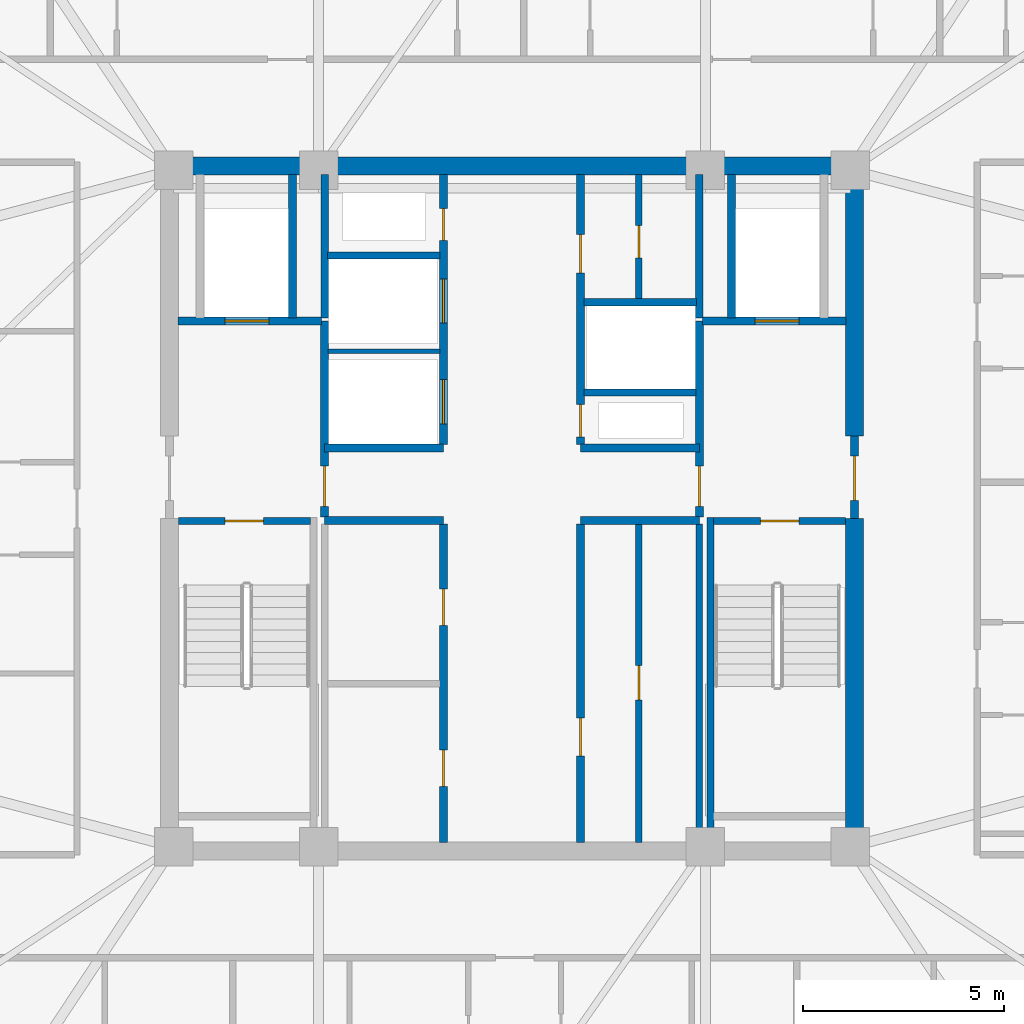
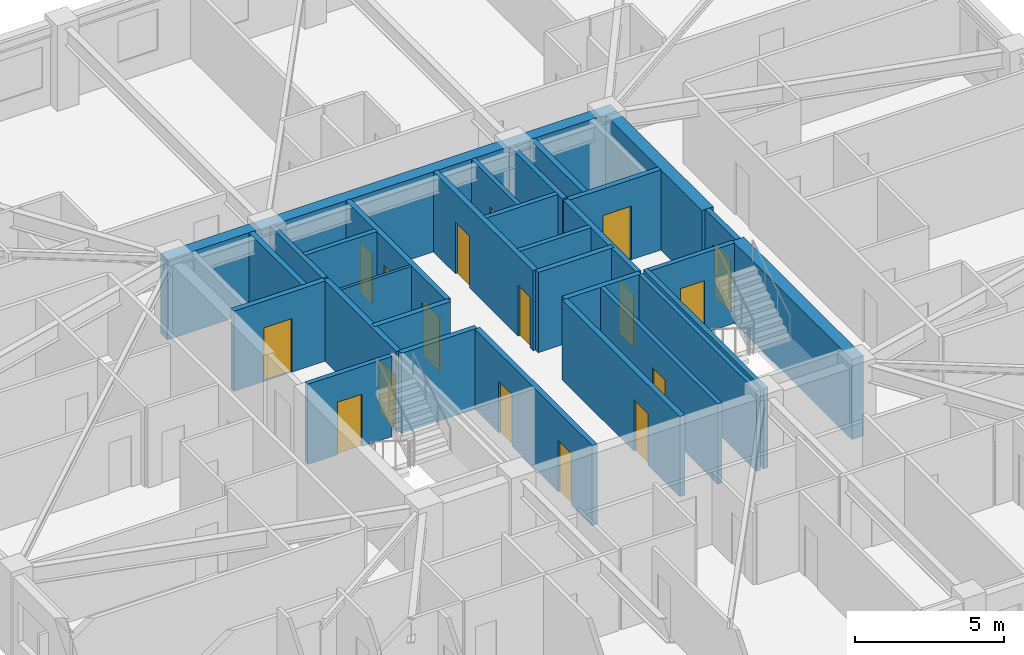
# One storey, part 9 of 17: 30 walls, 17 doors, 17 openings.
"""IFC4 building model written with IfcOpenShell, lengths in metres."""

from ifc_helpers import new_model, si_unit, direction, frame, frame_2d, origin, place, context, subcontext, project, spatial, rectangle, extrude, material, layer, layer_set, type_object, element, fill, save


model = new_model("IFC4")

# Units and contexts
model_context = context("Model", 3, precision=1e-05, world=origin(), true_north=direction((0.0, 1.0)))
body_context = subcontext(model_context, "Body", "Model", "MODEL_VIEW")
ifc_project = project(units=[si_unit("LENGTHUNIT", "METRE"), si_unit("AREAUNIT", "SQUARE_METRE"), si_unit("VOLUMEUNIT", "CUBIC_METRE"), si_unit("PLANEANGLEUNIT", "RADIAN"), si_unit("MASSUNIT", "GRAM", prefix="KILO")], contexts=[model_context])

# Site, building, storey
site_placement = place(None, origin())
site = spatial("IfcSite", under=ifc_project, at=site_placement, CompositionType="ELEMENT")
building_placement = place(site_placement, origin())
building = spatial("IfcBuilding", under=site, at=building_placement, Name="Cairnveth Concourse Tower", CompositionType="ELEMENT")
storey_placement = place(building_placement, frame((0.0, 0.0, 258.5)))
storey = spatial("IfcBuildingStorey", under=building, at=storey_placement, Name="L71", CompositionType="ELEMENT", Elevation=258.5)

# Wall
ifc_material_1 = material(Name="Gypsum Plasterboard Partition", Category="gypsum")
ifc_layer_1 = layer(ifc_material_1, 0.159912109375)
ifc_layer_set_1 = layer_set([ifc_layer_1], Name="Gypsum Plasterboard Partition")
wall_type_1 = type_object("IfcWallType", Name="ACOUSTIC PARTY WALL 180", PredefinedType="PARTITIONING", material=ifc_layer_set_1)
wall_1_placement = place(storey_placement, frame((56.64990234375, 30.7099609375, 0.0), z_axis=(0.0, 0.0, 1.0), x_axis=(0.0, 1.0, 0.0)))
element("IfcWall", 1, at=wall_1_placement, inside=storey, type_object=wall_type_1, Name="Interior Wall IW-L71-027", PredefinedType="PARTITIONING", context=body_context, shape_type="SweptSolid", body=[
    extrude(rectangle(XDim=7.905029296875, YDim=0.159912109375, at=frame_2d((3.95263671875, 0.0))), origin(), (0.0, 0.0, 1.0), 3.2900390625),
])

# Wall, opening, door
wall_2_placement = place(storey_placement, frame((55.14990234375, 30.7099609375, 0.0), z_axis=(0.0, 0.0, 1.0), x_axis=(0.0, 1.0, 0.0)))
wall_2 = element("IfcWall", 2, at=wall_2_placement, inside=storey, type_object=wall_type_1, Name="Interior Wall IW-L71-028", PredefinedType="PARTITIONING", context=body_context, shape_type="SweptSolid", body=[
    extrude(rectangle(XDim=7.905029296875, YDim=0.159912109375, at=frame_2d((3.95263671875, 0.0))), origin(), (0.0, 0.0, 1.0), 3.2900390625),
])
opening_1_placement = place(wall_2_placement, frame((3.5400390625, 0.0, 0.0)))
opening_1 = element("IfcOpeningElement", 3, at=opening_1_placement, cuts=wall_2, Name="Opening ID19", PredefinedType="OPENING", context=body_context, shape_type="SweptSolid", body=[
    extrude(rectangle(XDim=0.85009765625, YDim=2.1201171875, at=frame_2d((0.425048828125, 1.06005859375))), frame((0.0, 0.08984375, 0.0), z_axis=(0.0, -1.0, 0.0), x_axis=(1.0, 0.0, 0.0)), (0.0, 0.0, 1.0), 0.179931640625),
])
ifc_material_2 = material(Name="Steel Grade 350", Category="steel")
door_type_1 = type_object("IfcDoorType", Name="CORE SERVICE DOOR 850X2100", OperationType="NOTDEFINED", PredefinedType="DOOR", material=ifc_material_2)
door_1_placement = place(opening_1_placement, origin())
door_1 = element("IfcDoor", 4, at=door_1_placement, inside=storey, type_object=door_type_1, Name="Wine Cellar Door L71", OperationType="SINGLE_SWING_RIGHT", OverallHeight=2.1201171875, OverallWidth=0.85009765625, PredefinedType="DOOR", context=body_context, shape_type="SweptSolid", body=[
    extrude(rectangle(XDim=0.85009765625, YDim=2.1201171875, at=frame_2d((0.425048828125, 1.06005859375))), frame((0.0, 0.02490234375, 0.0), z_axis=(0.0, -1.0, 0.0), x_axis=(1.0, 0.0, 0.0)), (0.0, 0.0, 1.0), 0.050048828125),
])
fill(opening_1, door_1)

wall_3_placement = place(storey_placement, frame((55.14990234375, 44.195068359375, 0.0), z_axis=(0.0, 0.0, 1.0), x_axis=(0.0, 1.0, 0.0)))
wall_3 = element("IfcWall", 5, at=wall_3_placement, inside=storey, type_object=wall_type_1, Name="Interior Wall IW-L71-035", PredefinedType="PARTITIONING", context=body_context, shape_type="SweptSolid", body=[
    extrude(rectangle(XDim=3.094970703125, YDim=0.159912109375, at=frame_2d((1.54736328125, 0.0))), origin(), (0.0, 0.0, 1.0), 3.2900390625),
])
opening_2_placement = place(wall_3_placement, frame((1.02490234375, 0.0, 0.0)))
opening_2 = element("IfcOpeningElement", 6, at=opening_2_placement, cuts=wall_3, Name="Opening ID23", PredefinedType="OPENING", context=body_context, shape_type="SweptSolid", body=[
    extrude(rectangle(XDim=0.800048828125, YDim=2.10009765625, at=frame_2d((0.39990234375, 1.050048828125))), frame((0.0, 0.08984375, 0.0), z_axis=(0.0, -1.0, 0.0), x_axis=(1.0, 0.0, 0.0)), (0.0, 0.0, 1.0), 0.179931640625),
])
door_type_2 = type_object("IfcDoorType", Name="CORE SERVICE DOOR 800X2100", OperationType="NOTDEFINED", PredefinedType="DOOR", material=ifc_material_2)
door_2_placement = place(opening_2_placement, origin())
door_2 = element("IfcDoor", 7, at=door_2_placement, inside=storey, type_object=door_type_2, Name="NE Linen Closet Door L71", OperationType="SINGLE_SWING_RIGHT", OverallHeight=2.10009765625, OverallWidth=0.800048828125, PredefinedType="DOOR", context=body_context, shape_type="SweptSolid", body=[
    extrude(rectangle(XDim=0.800048828125, YDim=2.10009765625, at=frame_2d((0.39990234375, 1.050048828125))), frame((0.0, 0.02490234375, 0.0), z_axis=(0.0, -1.0, 0.0), x_axis=(1.0, 0.0, 0.0)), (0.0, 0.0, 1.0), 0.050048828125),
])
fill(opening_2, door_2)

# Walls
ifc_material_3 = material(Name="Concrete N65 (65 MPa)", Category="concrete")
ifc_layer_2 = layer(ifc_material_3, 0.449951171875)
ifc_layer_set_2 = layer_set([ifc_layer_2], Name="Concrete N65 (65 MPa)")
wall_type_2 = type_object("IfcWallType", Name="CORE SHEAR WALL 450", PredefinedType="SHEAR", material=ifc_layer_set_2)
wall_4_placement = place(storey_placement, frame((43.27490234375, 47.5, 0.0), z_axis=(0.0, 0.0, 1.0), x_axis=(1.0, 0.0, 0.0)))
element("IfcWall", 8, at=wall_4_placement, inside=storey, type_object=wall_type_2, Name="Core North Shear Wall L71", PredefinedType="SHEAR", context=body_context, shape_type="SweptSolid", body=[
    extrude(rectangle(XDim=17.4501953125, YDim=0.449951171875, at=frame_2d((8.72509765625, 0.0))), origin(), (0.0, 0.0, 1.0), 3.2900390625),
])
wall_5_placement = place(storey_placement, frame((60.5, 30.715087890625, 0.0), z_axis=(0.0, 0.0, 1.0), x_axis=(0.0, 1.0, 0.0)))
element("IfcWall", 9, at=wall_5_placement, inside=storey, type_object=wall_type_2, Name="Core East Shear Wall S L71", PredefinedType="SHEAR", context=body_context, shape_type="SweptSolid", body=[
    extrude(rectangle(XDim=8.034912109375, YDim=0.449951171875, at=frame_2d((4.017578125, 0.0))), origin(), (0.0, 0.0, 1.0), 3.2900390625),
])
wall_6_placement = place(storey_placement, frame((60.5, 40.800048828125, 0.0), z_axis=(0.0, 0.0, 1.0), x_axis=(0.0, 1.0, 0.0)))
element("IfcWall", 10, at=wall_6_placement, inside=storey, type_object=wall_type_2, Name="Core East Shear Wall N L71", PredefinedType="SHEAR", context=body_context, shape_type="SweptSolid", body=[
    extrude(rectangle(XDim=6.48486328125, YDim=0.449951171875, at=frame_2d((3.242431640625, 0.0))), origin(), (0.0, 0.0, 1.0), 3.2900390625),
])
ifc_material_4 = material(Name="Concrete N50 (50 MPa)", Category="concrete")
ifc_layer_3 = layer(ifc_material_4, 0.179931640625)
ifc_layer_set_3 = layer_set([ifc_layer_3], Name="Concrete N50 (50 MPa)")
wall_type_3 = type_object("IfcWallType", Name="FIRE SHAFT WALL 180", PredefinedType="SOLIDWALL", material=ifc_layer_set_3)
wall_7_placement = place(storey_placement, frame((47.35009765625, 43.735107421875, 0.0), z_axis=(0.0, 0.0, 1.0), x_axis=(0.0, 1.0, 0.0)))
element("IfcWall", 11, at=wall_7_placement, inside=storey, type_object=wall_type_3, Name="Interior Wall IW-L71-029", PredefinedType="SOLIDWALL", context=body_context, shape_type="SweptSolid", body=[
    extrude(rectangle(XDim=3.554931640625, YDim=0.179931640625, at=frame_2d((1.77734375, 0.0))), origin(), (0.0, 0.0, 1.0), 3.2900390625),
])
wall_8_placement = place(storey_placement, frame((47.425048828125, 45.280029296875, 0.0), z_axis=(0.0, 0.0, 1.0), x_axis=(1.0, 0.0, 0.0)))
element("IfcWall", 12, at=wall_8_placement, inside=storey, type_object=wall_type_3, Name="Interior Wall IW-L71-031", PredefinedType="SOLIDWALL", context=body_context, shape_type="SweptSolid", body=[
    extrude(rectangle(XDim=2.7900390625, YDim=0.179931640625, at=frame_2d((1.39501953125, 0.0))), origin(), (0.0, 0.0, 1.0), 3.2900390625),
])
wall_9_placement = place(storey_placement, frame((56.64990234375, 43.735107421875, 0.0), z_axis=(0.0, 0.0, 1.0), x_axis=(0.0, 1.0, 0.0)))
element("IfcWall", 13, at=wall_9_placement, inside=storey, type_object=wall_type_3, Name="Interior Wall IW-L71-032", PredefinedType="SOLIDWALL", context=body_context, shape_type="SweptSolid", body=[
    extrude(rectangle(XDim=3.554931640625, YDim=0.179931640625, at=frame_2d((1.77734375, 0.0))), origin(), (0.0, 0.0, 1.0), 3.2900390625),
])
wall_10_placement = place(storey_placement, frame((53.784912109375, 41.8798828125, 0.0), z_axis=(0.0, 0.0, 1.0), x_axis=(1.0, 0.0, 0.0)))
element("IfcWall", 14, at=wall_10_placement, inside=storey, type_object=wall_type_3, Name="Interior Wall IW-L71-033", PredefinedType="SOLIDWALL", context=body_context, shape_type="SweptSolid", body=[
    extrude(rectangle(XDim=2.780029296875, YDim=0.179931640625, at=frame_2d((1.39013671875, 0.0))), origin(), (0.0, 0.0, 1.0), 3.2900390625),
])
wall_11_placement = place(storey_placement, frame((53.784912109375, 44.1201171875, 0.0), z_axis=(0.0, 0.0, 1.0), x_axis=(1.0, 0.0, 0.0)))
element("IfcWall", 15, at=wall_11_placement, inside=storey, type_object=wall_type_3, Name="Interior Wall IW-L71-034", PredefinedType="SOLIDWALL", context=body_context, shape_type="SweptSolid", body=[
    extrude(rectangle(XDim=2.7900390625, YDim=0.179931640625, at=frame_2d((1.39501953125, 0.0))), origin(), (0.0, 0.0, 1.0), 3.2900390625),
])

# Wall, opening, door
wall_12_placement = place(storey_placement, frame((43.715087890625, 38.68994140625, 0.0), z_axis=(0.0, 0.0, 1.0), x_axis=(1.0, 0.0, 0.0)))
wall_12 = element("IfcWall", 16, at=wall_12_placement, inside=storey, type_object=wall_type_3, Name="Stair ST-1 Shaft Wall NEAR L71", PredefinedType="SOLIDWALL", context=body_context, shape_type="SweptSolid", body=[
    extrude(rectangle(XDim=3.280029296875, YDim=0.179931640625, at=frame_2d((1.64013671875, 0.0))), origin(), (0.0, 0.0, 1.0), 3.2900390625),
])
opening_3_placement = place(wall_12_placement, frame((1.1650390625, 0.0, 0.0)))
opening_3 = element("IfcOpeningElement", 17, at=opening_3_placement, cuts=wall_12, Name="Opening ID12", PredefinedType="OPENING", context=body_context, shape_type="SweptSolid", body=[
    extrude(rectangle(XDim=0.949951171875, YDim=2.14990234375, at=frame_2d((0.47509765625, 1.074951171875))), frame((0.0, 0.099853515625, 0.0), z_axis=(0.0, -1.0, 0.0), x_axis=(1.0, 0.0, 0.0)), (0.0, 0.0, 1.0), 0.199951171875),
])
door_type_3 = type_object("IfcDoorType", Name="FIRE STAIR DOOR 950X2150", OperationType="NOTDEFINED", PredefinedType="DOOR", material=ifc_material_2)
door_3_placement = place(opening_3_placement, origin())
door_3 = element("IfcDoor", 18, at=door_3_placement, inside=storey, type_object=door_type_3, Name="Stair ST-1 Fire Door L71", OperationType="SINGLE_SWING_LEFT", OverallHeight=2.14990234375, OverallWidth=0.949951171875, PredefinedType="DOOR", context=body_context, shape_type="SweptSolid", body=[
    extrude(rectangle(XDim=0.949951171875, YDim=2.14990234375, at=frame_2d((0.47509765625, 1.074951171875))), frame((0.0, 0.02490234375, 0.0), z_axis=(0.0, -1.0, 0.0), x_axis=(1.0, 0.0, 0.0)), (0.0, 0.0, 1.0), 0.050048828125),
])
fill(opening_3, door_3)

wall_13_placement = place(storey_placement, frame((57.0048828125, 38.68994140625, 0.0), z_axis=(0.0, 0.0, 1.0), x_axis=(1.0, 0.0, 0.0)))
wall_13 = element("IfcWall", 19, at=wall_13_placement, inside=storey, type_object=wall_type_3, Name="Stair ST-2 Shaft Wall NEAR L71", PredefinedType="SOLIDWALL", context=body_context, shape_type="SweptSolid", body=[
    extrude(rectangle(XDim=3.280029296875, YDim=0.179931640625, at=frame_2d((1.64013671875, 0.0))), origin(), (0.0, 0.0, 1.0), 3.2900390625),
])
opening_4_placement = place(wall_13_placement, frame((1.1650390625, 0.0, 0.0)))
opening_4 = element("IfcOpeningElement", 20, at=opening_4_placement, cuts=wall_13, Name="Opening ID12", PredefinedType="OPENING", context=body_context, shape_type="SweptSolid", body=[
    extrude(rectangle(XDim=0.949951171875, YDim=2.14990234375, at=frame_2d((0.47509765625, 1.074951171875))), frame((0.0, 0.099853515625, 0.0), z_axis=(0.0, -1.0, 0.0), x_axis=(1.0, 0.0, 0.0)), (0.0, 0.0, 1.0), 0.199951171875),
])
door_4_placement = place(opening_4_placement, origin())
door_4 = element("IfcDoor", 21, at=door_4_placement, inside=storey, type_object=door_type_3, Name="Stair ST-2 Fire Door L71", OperationType="SINGLE_SWING_RIGHT", OverallHeight=2.14990234375, OverallWidth=0.949951171875, PredefinedType="DOOR", context=body_context, shape_type="SweptSolid", body=[
    extrude(rectangle(XDim=0.949951171875, YDim=2.14990234375, at=frame_2d((0.47509765625, 1.074951171875))), frame((0.0, 0.02490234375, 0.0), z_axis=(0.0, -1.0, 0.0), x_axis=(1.0, 0.0, 0.0)), (0.0, 0.0, 1.0), 0.050048828125),
])
fill(opening_4, door_4)

# Walls
wall_14_placement = place(storey_placement, frame((56.929931640625, 38.780029296875, 0.0), z_axis=(0.0, 0.0, 1.0), x_axis=(0.0, -1.0, 0.0)))
element("IfcWall", 22, at=wall_14_placement, inside=storey, type_object=wall_type_3, Name="Stair ST-2 Shaft Wall LEFT L71", PredefinedType="SOLIDWALL", context=body_context, shape_type="SweptSolid", body=[
    extrude(rectangle(XDim=8.067138671875, YDim=0.179931640625, at=frame_2d((4.03369140625, 0.0))), origin(), (0.0, 0.0, 1.0), 3.2900390625),
])
ifc_layer_4 = layer(ifc_material_4, 0.199951171875)
ifc_layer_set_4 = layer_set([ifc_layer_4], Name="Concrete N50 (50 MPa)")
wall_type_4 = type_object("IfcWallType", Name="FIRE SHAFT WALL 200", PredefinedType="SOLIDWALL", material=ifc_layer_set_4)
for number, where, z_axis, x_axis, name in (
    (23, (47.35009765625, 38.699951171875, 0.0), (0.0, 0.0, 1.0), (1.0, 0.0, 0.0), "Interior Wall IW-L71-007"),
    (24, (47.35009765625, 40.5, 0.0), (0.0, 0.0, 1.0), (1.0, 0.0, 0.0), "Interior Wall IW-L71-008"),
    (25, (53.699951171875, 38.699951171875, 0.0), (0.0, 0.0, 1.0), (1.0, 0.0, 0.0), "Interior Wall IW-L71-009"),
    (26, (53.699951171875, 40.5, 0.0), (0.0, 0.0, 1.0), (1.0, 0.0, 0.0), "Interior Wall IW-L71-010"),
):
    element("IfcWall", number, at=place(storey_placement, frame(where, z_axis=z_axis, x_axis=x_axis)), inside=storey, type_object=wall_type_4, Name=name, PredefinedType="SOLIDWALL", context=body_context, shape_type="SweptSolid", body=[
        extrude(rectangle(XDim=2.949951171875, YDim=0.199951171875, at=frame_2d((1.47509765625, 0.0))), origin(), (0.0, 0.0, 1.0), 3.2900390625),
    ])

# Wall, openings, doors
wall_15_placement = place(storey_placement, frame((50.300048828125, 30.7099609375, 0.0), z_axis=(0.0, 0.0, 1.0), x_axis=(0.0, 1.0, 0.0)))
wall_15 = element("IfcWall", 27, at=wall_15_placement, inside=storey, type_object=wall_type_4, Name="Interior Wall IW-L71-011", PredefinedType="SOLIDWALL", context=body_context, shape_type="SweptSolid", body=[
    extrude(rectangle(XDim=7.905029296875, YDim=0.199951171875, at=frame_2d((3.95263671875, 0.0))), origin(), (0.0, 0.0, 1.0), 3.2900390625),
])
opening_5_placement = place(wall_15_placement, frame((1.389892578125, 0.0, 0.0)))
opening_5 = element("IfcOpeningElement", 28, at=opening_5_placement, cuts=wall_15, Name="Opening ID26", PredefinedType="OPENING", context=body_context, shape_type="SweptSolid", body=[
    extrude(rectangle(XDim=0.89990234375, YDim=2.1201171875, at=frame_2d((0.449951171875, 1.06005859375))), frame((0.0, 0.10986328125, 0.0), z_axis=(0.0, -1.0, 0.0), x_axis=(1.0, 0.0, 0.0)), (0.0, 0.0, 1.0), 0.219970703125),
])
opening_6_placement = place(wall_15_placement, frame((5.389892578125, 0.0, 0.0)))
opening_6 = element("IfcOpeningElement", 29, at=opening_6_placement, cuts=wall_15, Name="Opening ID26", PredefinedType="OPENING", context=body_context, shape_type="SweptSolid", body=[
    extrude(rectangle(XDim=0.89990234375, YDim=2.1201171875, at=frame_2d((0.449951171875, 1.06005859375))), frame((0.0, 0.10986328125, 0.0), z_axis=(0.0, -1.0, 0.0), x_axis=(1.0, 0.0, 0.0)), (0.0, 0.0, 1.0), 0.219970703125),
])
door_type_4 = type_object("IfcDoorType", Name="CORE TOILET FIRE DOOR 900X2120", OperationType="NOTDEFINED", PredefinedType="DOOR", material=ifc_material_2)
door_5_placement = place(opening_5_placement, origin())
door_5 = element("IfcDoor", 30, at=door_5_placement, inside=storey, type_object=door_type_4, Name="Male WC Door L71", OperationType="SINGLE_SWING_LEFT", OverallHeight=2.1201171875, OverallWidth=0.89990234375, PredefinedType="DOOR", context=body_context, shape_type="SweptSolid", body=[
    extrude(rectangle(XDim=0.89990234375, YDim=2.1201171875, at=frame_2d((0.449951171875, 1.06005859375))), frame((0.0, 0.02490234375, 0.0), z_axis=(0.0, -1.0, 0.0), x_axis=(1.0, 0.0, 0.0)), (0.0, 0.0, 1.0), 0.050048828125),
])
fill(opening_5, door_5)
door_6_placement = place(opening_6_placement, origin())
door_6 = element("IfcDoor", 31, at=door_6_placement, inside=storey, type_object=door_type_4, Name="Female WC Door L71", OperationType="SINGLE_SWING_RIGHT", OverallHeight=2.1201171875, OverallWidth=0.89990234375, PredefinedType="DOOR", context=body_context, shape_type="SweptSolid", body=[
    extrude(rectangle(XDim=0.89990234375, YDim=2.1201171875, at=frame_2d((0.449951171875, 1.06005859375))), frame((0.0, 0.02490234375, 0.0), z_axis=(0.0, -1.0, 0.0), x_axis=(1.0, 0.0, 0.0)), (0.0, 0.0, 1.0), 0.050048828125),
])
fill(opening_6, door_6)

# Wall, opening, door
wall_16_placement = place(storey_placement, frame((53.699951171875, 30.7099609375, 0.0), z_axis=(0.0, 0.0, 1.0), x_axis=(0.0, 1.0, 0.0)))
wall_16 = element("IfcWall", 32, at=wall_16_placement, inside=storey, type_object=wall_type_4, Name="Interior Wall IW-L71-012", PredefinedType="SOLIDWALL", context=body_context, shape_type="SweptSolid", body=[
    extrude(rectangle(XDim=7.905029296875, YDim=0.199951171875, at=frame_2d((3.95263671875, 0.0))), origin(), (0.0, 0.0, 1.0), 3.2900390625),
])
opening_7_placement = place(wall_16_placement, frame((2.139892578125, 0.0, 0.0)))
opening_7 = element("IfcOpeningElement", 33, at=opening_7_placement, cuts=wall_16, Name="Opening ID25", PredefinedType="OPENING", context=body_context, shape_type="SweptSolid", body=[
    extrude(rectangle(XDim=0.949951171875, YDim=2.1201171875, at=frame_2d((0.47509765625, 1.06005859375))), frame((0.0, 0.10986328125, 0.0), z_axis=(0.0, -1.0, 0.0), x_axis=(1.0, 0.0, 0.0)), (0.0, 0.0, 1.0), 0.219970703125),
])
door_type_5 = type_object("IfcDoorType", Name="CORE ACCESSIBLE FIRE DOOR 950X2120", OperationType="NOTDEFINED", PredefinedType="DOOR", material=ifc_material_2)
door_7_placement = place(opening_7_placement, origin())
door_7 = element("IfcDoor", 34, at=door_7_placement, inside=storey, type_object=door_type_5, Name="Sky Restroom Door L71", OperationType="SINGLE_SWING_LEFT", OverallHeight=2.1201171875, OverallWidth=0.949951171875, PredefinedType="DOOR", context=body_context, shape_type="SweptSolid", body=[
    extrude(rectangle(XDim=0.949951171875, YDim=2.1201171875, at=frame_2d((0.47509765625, 1.06005859375))), frame((0.0, 0.02490234375, 0.0), z_axis=(0.0, -1.0, 0.0), x_axis=(1.0, 0.0, 0.0)), (0.0, 0.0, 1.0), 0.050048828125),
])
fill(opening_7, door_7)

# Wall, openings, doors
wall_17_placement = place(storey_placement, frame((50.300048828125, 40.5849609375, 0.0), z_axis=(0.0, 0.0, 1.0), x_axis=(0.0, 1.0, 0.0)))
wall_17 = element("IfcWall", 35, at=wall_17_placement, inside=storey, type_object=wall_type_4, Name="Interior Wall IW-L71-013", PredefinedType="SOLIDWALL", context=body_context, shape_type="SweptSolid", body=[
    extrude(rectangle(XDim=6.705078125, YDim=0.199951171875, at=frame_2d((3.3525390625, 0.0))), origin(), (0.0, 0.0, 1.0), 3.2900390625),
])
opening_8_placement = place(wall_17_placement, frame((0.514892578125, 0.0, 0.0)))
opening_8 = element("IfcOpeningElement", 36, at=opening_8_placement, cuts=wall_17, Name="Opening LD-1", PredefinedType="OPENING", context=body_context, shape_type="SweptSolid", body=[
    extrude(rectangle(XDim=1.10009765625, YDim=2.199951171875, at=frame_2d((0.550048828125, 1.10009765625))), frame((0.0, 0.10986328125, 0.0), z_axis=(0.0, -1.0, 0.0), x_axis=(1.0, 0.0, 0.0)), (0.0, 0.0, 1.0), 0.219970703125),
])
opening_9_placement = place(wall_17_placement, frame((3.014892578125, 0.0, 0.0)))
opening_9 = element("IfcOpeningElement", 37, at=opening_9_placement, cuts=wall_17, Name="Opening LD-1", PredefinedType="OPENING", context=body_context, shape_type="SweptSolid", body=[
    extrude(rectangle(XDim=1.10009765625, YDim=2.199951171875, at=frame_2d((0.550048828125, 1.10009765625))), frame((0.0, 0.10986328125, 0.0), z_axis=(0.0, -1.0, 0.0), x_axis=(1.0, 0.0, 0.0)), (0.0, 0.0, 1.0), 0.219970703125),
])
opening_10_placement = place(wall_17_placement, frame((5.06494140625, 0.0, 0.0)))
opening_10 = element("IfcOpeningElement", 38, at=opening_10_placement, cuts=wall_17, Name="Opening ID24", PredefinedType="OPENING", context=body_context, shape_type="SweptSolid", body=[
    extrude(rectangle(XDim=0.800048828125, YDim=2.080078125, at=frame_2d((0.39990234375, 1.0400390625))), frame((0.0, 0.10986328125, 0.0), z_axis=(0.0, -1.0, 0.0), x_axis=(1.0, 0.0, 0.0)), (0.0, 0.0, 1.0), 0.219970703125),
])
ifc_material_5 = material(Name="Architectural Bronze Anodised Aluminium 6063-T6", Category="aluminium")
door_type_6 = type_object("IfcDoorType", Name="LIFT LANDING DOOR 1100X2200", OperationType="SLIDING_TO_LEFT", PredefinedType="DOOR", material=ifc_material_5)
door_8_placement = place(opening_8_placement, origin())
door_8 = element("IfcDoor", 39, at=door_8_placement, inside=storey, type_object=door_type_6, Name="Lift PL7 Landing Door L71", OperationType="SLIDING_TO_LEFT", OverallHeight=2.199951171875, OverallWidth=1.10009765625, PredefinedType="DOOR", context=body_context, shape_type="SweptSolid", body=[
    extrude(rectangle(XDim=1.10009765625, YDim=2.199951171875, at=frame_2d((0.550048828125, 1.10009765625))), frame((0.0, 0.02490234375, 0.0), z_axis=(0.0, -1.0, 0.0), x_axis=(1.0, 0.0, 0.0)), (0.0, 0.0, 1.0), 0.050048828125),
])
fill(opening_8, door_8)
door_9_placement = place(opening_9_placement, origin())
door_9 = element("IfcDoor", 40, at=door_9_placement, inside=storey, type_object=door_type_6, Name="Lift PL8 Landing Door L71", OperationType="SLIDING_TO_LEFT", OverallHeight=2.199951171875, OverallWidth=1.10009765625, PredefinedType="DOOR", context=body_context, shape_type="SweptSolid", body=[
    extrude(rectangle(XDim=1.10009765625, YDim=2.199951171875, at=frame_2d((0.550048828125, 1.10009765625))), frame((0.0, 0.02490234375, 0.0), z_axis=(0.0, -1.0, 0.0), x_axis=(1.0, 0.0, 0.0)), (0.0, 0.0, 1.0), 0.050048828125),
])
fill(opening_9, door_9)
door_type_7 = type_object("IfcDoorType", Name="RISER ACCESS DOOR 800X2100", OperationType="NOTDEFINED", PredefinedType="DOOR", material=ifc_material_2)
door_10_placement = place(opening_10_placement, origin())
door_10 = element("IfcDoor", 41, at=door_10_placement, inside=storey, type_object=door_type_7, Name="NW Electrical Riser Access Door L71", OperationType="SINGLE_SWING_LEFT", OverallHeight=2.080078125, OverallWidth=0.800048828125, PredefinedType="DOOR", context=body_context, shape_type="SweptSolid", body=[
    extrude(rectangle(XDim=0.800048828125, YDim=2.080078125, at=frame_2d((0.39990234375, 1.0400390625))), frame((0.0, 0.02490234375, 0.0), z_axis=(0.0, -1.0, 0.0), x_axis=(1.0, 0.0, 0.0)), (0.0, 0.0, 1.0), 0.050048828125),
])
fill(opening_10, door_10)

wall_18_placement = place(storey_placement, frame((53.699951171875, 40.5849609375, 0.0), z_axis=(0.0, 0.0, 1.0), x_axis=(0.0, 1.0, 0.0)))
wall_18 = element("IfcWall", 42, at=wall_18_placement, inside=storey, type_object=wall_type_4, Name="Interior Wall IW-L71-014", PredefinedType="SOLIDWALL", context=body_context, shape_type="SweptSolid", body=[
    extrude(rectangle(XDim=6.705078125, YDim=0.199951171875, at=frame_2d((3.3525390625, 0.0))), origin(), (0.0, 0.0, 1.0), 3.2900390625),
])
opening_11_placement = place(wall_18_placement, frame((0.195068359375, 0.0, 0.0)))
opening_11 = element("IfcOpeningElement", 43, at=opening_11_placement, cuts=wall_18, Name="Opening ID24", PredefinedType="OPENING", context=body_context, shape_type="SweptSolid", body=[
    extrude(rectangle(XDim=0.800048828125, YDim=2.080078125, at=frame_2d((0.39990234375, 1.0400390625))), frame((0.0, 0.10986328125, 0.0), z_axis=(0.0, -1.0, 0.0), x_axis=(1.0, 0.0, 0.0)), (0.0, 0.0, 1.0), 0.219970703125),
])
opening_12_placement = place(wall_18_placement, frame((4.264892578125, 0.0, 0.0)))
opening_12 = element("IfcOpeningElement", 44, at=opening_12_placement, cuts=wall_18, Name="Opening ID25", PredefinedType="OPENING", context=body_context, shape_type="SweptSolid", body=[
    extrude(rectangle(XDim=0.949951171875, YDim=2.1201171875, at=frame_2d((0.47509765625, 1.06005859375))), frame((0.0, 0.10986328125, 0.0), z_axis=(0.0, -1.0, 0.0), x_axis=(1.0, 0.0, 0.0)), (0.0, 0.0, 1.0), 0.219970703125),
])
door_11_placement = place(opening_12_placement, origin())
door_11 = element("IfcDoor", 45, at=door_11_placement, inside=storey, type_object=door_type_5, Name="Core NE Restroom Door L71", OperationType="SINGLE_SWING_LEFT", OverallHeight=2.1201171875, OverallWidth=0.949951171875, PredefinedType="DOOR", context=body_context, shape_type="SweptSolid", body=[
    extrude(rectangle(XDim=0.949951171875, YDim=2.1201171875, at=frame_2d((0.47509765625, 1.06005859375))), frame((0.0, 0.02490234375, 0.0), z_axis=(0.0, -1.0, 0.0), x_axis=(1.0, 0.0, 0.0)), (0.0, 0.0, 1.0), 0.050048828125),
])
fill(opening_12, door_11)
door_12_placement = place(opening_11_placement, origin())
door_12 = element("IfcDoor", 46, at=door_12_placement, inside=storey, type_object=door_type_7, Name="Hydraulic Riser Door L71", OperationType="SINGLE_SWING_RIGHT", OverallHeight=2.080078125, OverallWidth=0.800048828125, PredefinedType="DOOR", context=body_context, shape_type="SweptSolid", body=[
    extrude(rectangle(XDim=0.800048828125, YDim=2.080078125, at=frame_2d((0.39990234375, 1.0400390625))), frame((0.0, 0.02490234375, 0.0), z_axis=(0.0, -1.0, 0.0), x_axis=(1.0, 0.0, 0.0)), (0.0, 0.0, 1.0), 0.050048828125),
])
fill(opening_11, door_12)

# Wall, opening, door
wall_19_placement = place(storey_placement, frame((47.35009765625, 38.784912109375, 0.0), z_axis=(0.0, 0.0, 1.0), x_axis=(0.0, 1.0, 0.0)))
wall_19 = element("IfcWall", 47, at=wall_19_placement, inside=storey, type_object=wall_type_4, Name="Interior Wall IW-L71-016", PredefinedType="SOLIDWALL", context=body_context, shape_type="SweptSolid", body=[
    extrude(rectangle(XDim=4.864990234375, YDim=0.199951171875, at=frame_2d((2.4326171875, 0.0))), origin(), (0.0, 0.0, 1.0), 3.2900390625),
])
opening_13_placement = place(wall_19_placement, frame((0.264892578125, 0.0, 0.0)))
opening_13 = element("IfcOpeningElement", 48, at=opening_13_placement, cuts=wall_19, Name="Opening ID07", PredefinedType="OPENING", context=body_context, shape_type="SweptSolid", body=[
    extrude(rectangle(XDim=1.0, YDim=2.14990234375, at=frame_2d((0.5, 1.074951171875))), frame((0.0, 0.10986328125, 0.0), z_axis=(0.0, -1.0, 0.0), x_axis=(1.0, 0.0, 0.0)), (0.0, 0.0, 1.0), 0.219970703125),
])
door_type_8 = type_object("IfcDoorType", Name="FIRE CORRIDOR DOOR 1000X2150", OperationType="NOTDEFINED", PredefinedType="DOOR", material=ifc_material_2)
door_13_placement = place(opening_13_placement, origin())
door_13 = element("IfcDoor", 49, at=door_13_placement, inside=storey, type_object=door_type_8, Name="FF Lobby West to Lift Lobby Door L71", OperationType="SINGLE_SWING_RIGHT", OverallHeight=2.14990234375, OverallWidth=1.0, PredefinedType="DOOR", context=body_context, shape_type="SweptSolid", body=[
    extrude(rectangle(XDim=1.0, YDim=2.14990234375, at=frame_2d((0.5, 1.074951171875))), frame((0.0, 0.02490234375, 0.0), z_axis=(0.0, -1.0, 0.0), x_axis=(1.0, 0.0, 0.0)), (0.0, 0.0, 1.0), 0.050048828125),
])
fill(opening_13, door_13)

wall_20_placement = place(storey_placement, frame((43.7099609375, 43.64990234375, 0.0), z_axis=(0.0, 0.0, 1.0), x_axis=(1.0, 0.0, 0.0)))
wall_20 = element("IfcWall", 50, at=wall_20_placement, inside=storey, type_object=wall_type_4, Name="Interior Wall IW-L71-017", PredefinedType="SOLIDWALL", context=body_context, shape_type="SweptSolid", body=[
    extrude(rectangle(XDim=3.554931640625, YDim=0.199951171875, at=frame_2d((1.77734375, 0.0))), origin(), (0.0, 0.0, 1.0), 3.2900390625),
])
opening_14_placement = place(wall_20_placement, frame((1.159912109375, 0.0, 0.0)))
opening_14 = element("IfcOpeningElement", 51, at=opening_14_placement, cuts=wall_20, Name="Opening LD-1", PredefinedType="OPENING", context=body_context, shape_type="SweptSolid", body=[
    extrude(rectangle(XDim=1.10009765625, YDim=2.199951171875, at=frame_2d((0.550048828125, 1.10009765625))), frame((0.0, 0.10986328125, 0.0), z_axis=(0.0, -1.0, 0.0), x_axis=(1.0, 0.0, 0.0)), (0.0, 0.0, 1.0), 0.219970703125),
])
door_14_placement = place(opening_14_placement, origin())
door_14 = element("IfcDoor", 52, at=door_14_placement, inside=storey, type_object=door_type_6, Name="Lift FFL1 Landing Door L71", OperationType="SLIDING_TO_LEFT", OverallHeight=2.199951171875, OverallWidth=1.10009765625, PredefinedType="DOOR", context=body_context, shape_type="SweptSolid", body=[
    extrude(rectangle(XDim=1.10009765625, YDim=2.199951171875, at=frame_2d((0.550048828125, 1.10009765625))), frame((0.0, 0.02490234375, 0.0), z_axis=(0.0, -1.0, 0.0), x_axis=(1.0, 0.0, 0.0)), (0.0, 0.0, 1.0), 0.050048828125),
])
fill(opening_14, door_14)

# Wall
wall_21_placement = place(storey_placement, frame((46.550048828125, 43.735107421875, 0.0), z_axis=(0.0, 0.0, 1.0), x_axis=(0.0, 1.0, 0.0)))
element("IfcWall", 53, at=wall_21_placement, inside=storey, type_object=wall_type_4, Name="Interior Wall IW-L71-018", PredefinedType="SOLIDWALL", context=body_context, shape_type="SweptSolid", body=[
    extrude(rectangle(XDim=3.554931640625, YDim=0.199951171875, at=frame_2d((1.77734375, 0.0))), origin(), (0.0, 0.0, 1.0), 3.2900390625),
])

# Wall, opening, door
wall_22_placement = place(storey_placement, frame((60.5, 38.75, 0.0), z_axis=(0.0, 0.0, 1.0), x_axis=(0.0, 1.0, 0.0)))
wall_22 = element("IfcWall", 54, at=wall_22_placement, inside=storey, type_object=wall_type_4, Name="Interior Wall IW-L71-020", PredefinedType="SOLIDWALL", context=body_context, shape_type="SweptSolid", body=[
    extrude(rectangle(XDim=2.050048828125, YDim=0.199951171875, at=frame_2d((1.02490234375, 0.0))), origin(), (0.0, 0.0, 1.0), 3.2900390625),
])
opening_15_placement = place(wall_22_placement, frame((0.449951171875, 0.0, 0.0)))
opening_15 = element("IfcOpeningElement", 55, at=opening_15_placement, cuts=wall_22, Name="Opening ID06", PredefinedType="OPENING", context=body_context, shape_type="SweptSolid", body=[
    extrude(rectangle(XDim=1.10009765625, YDim=2.14990234375, at=frame_2d((0.550048828125, 1.074951171875))), frame((0.0, 0.10986328125, 0.0), z_axis=(0.0, -1.0, 0.0), x_axis=(1.0, 0.0, 0.0)), (0.0, 0.0, 1.0), 0.219970703125),
])
door_type_9 = type_object("IfcDoorType", Name="FIRE CORRIDOR DOOR 1100X2150", OperationType="NOTDEFINED", PredefinedType="DOOR", material=ifc_material_2)
door_15_placement = place(opening_15_placement, origin())
door_15 = element("IfcDoor", 56, at=door_15_placement, inside=storey, type_object=door_type_9, Name="East Wing to FF Lobby Door L71", OperationType="SINGLE_SWING_RIGHT", OverallHeight=2.14990234375, OverallWidth=1.10009765625, PredefinedType="DOOR", context=body_context, shape_type="SweptSolid", body=[
    extrude(rectangle(XDim=1.10009765625, YDim=2.14990234375, at=frame_2d((0.550048828125, 1.074951171875))), frame((0.0, 0.02490234375, 0.0), z_axis=(0.0, -1.0, 0.0), x_axis=(1.0, 0.0, 0.0)), (0.0, 0.0, 1.0), 0.050048828125),
])
fill(opening_15, door_15)

wall_23_placement = place(storey_placement, frame((56.64990234375, 38.784912109375, 0.0), z_axis=(0.0, 0.0, 1.0), x_axis=(0.0, 1.0, 0.0)))
wall_23 = element("IfcWall", 57, at=wall_23_placement, inside=storey, type_object=wall_type_4, Name="Interior Wall IW-L71-021", PredefinedType="SOLIDWALL", context=body_context, shape_type="SweptSolid", body=[
    extrude(rectangle(XDim=4.864990234375, YDim=0.199951171875, at=frame_2d((2.4326171875, 0.0))), origin(), (0.0, 0.0, 1.0), 3.2900390625),
])
opening_16_placement = place(wall_23_placement, frame((0.264892578125, 0.0, 0.0)))
opening_16 = element("IfcOpeningElement", 58, at=opening_16_placement, cuts=wall_23, Name="Opening ID07", PredefinedType="OPENING", context=body_context, shape_type="SweptSolid", body=[
    extrude(rectangle(XDim=1.0, YDim=2.14990234375, at=frame_2d((0.5, 1.074951171875))), frame((0.0, 0.10986328125, 0.0), z_axis=(0.0, -1.0, 0.0), x_axis=(1.0, 0.0, 0.0)), (0.0, 0.0, 1.0), 0.219970703125),
])
door_16_placement = place(opening_16_placement, origin())
door_16 = element("IfcDoor", 59, at=door_16_placement, inside=storey, type_object=door_type_8, Name="FF Lobby East to Lift Lobby Door L71", OperationType="SINGLE_SWING_LEFT", OverallHeight=2.14990234375, OverallWidth=1.0, PredefinedType="DOOR", context=body_context, shape_type="SweptSolid", body=[
    extrude(rectangle(XDim=1.0, YDim=2.14990234375, at=frame_2d((0.5, 1.074951171875))), frame((0.0, 0.02490234375, 0.0), z_axis=(0.0, -1.0, 0.0), x_axis=(1.0, 0.0, 0.0)), (0.0, 0.0, 1.0), 0.050048828125),
])
fill(opening_16, door_16)

wall_24_placement = place(storey_placement, frame((56.735107421875, 43.64990234375, 0.0), z_axis=(0.0, 0.0, 1.0), x_axis=(1.0, 0.0, 0.0)))
wall_24 = element("IfcWall", 60, at=wall_24_placement, inside=storey, type_object=wall_type_4, Name="Interior Wall IW-L71-022", PredefinedType="SOLIDWALL", context=body_context, shape_type="SweptSolid", body=[
    extrude(rectangle(XDim=3.554931640625, YDim=0.199951171875, at=frame_2d((1.77734375, 0.0))), origin(), (0.0, 0.0, 1.0), 3.2900390625),
])
opening_17_placement = place(wall_24_placement, frame((1.294921875, 0.0, 0.0)))
opening_17 = element("IfcOpeningElement", 61, at=opening_17_placement, cuts=wall_24, Name="Opening LD-1", PredefinedType="OPENING", context=body_context, shape_type="SweptSolid", body=[
    extrude(rectangle(XDim=1.10009765625, YDim=2.199951171875, at=frame_2d((0.550048828125, 1.10009765625))), frame((0.0, 0.10986328125, 0.0), z_axis=(0.0, -1.0, 0.0), x_axis=(1.0, 0.0, 0.0)), (0.0, 0.0, 1.0), 0.219970703125),
])
door_17_placement = place(opening_17_placement, origin())
door_17 = element("IfcDoor", 62, at=door_17_placement, inside=storey, type_object=door_type_6, Name="Lift FFL2 Landing Door L71", OperationType="SLIDING_TO_LEFT", OverallHeight=2.199951171875, OverallWidth=1.10009765625, PredefinedType="DOOR", context=body_context, shape_type="SweptSolid", body=[
    extrude(rectangle(XDim=1.10009765625, YDim=2.199951171875, at=frame_2d((0.550048828125, 1.10009765625))), frame((0.0, 0.02490234375, 0.0), z_axis=(0.0, -1.0, 0.0), x_axis=(1.0, 0.0, 0.0)), (0.0, 0.0, 1.0), 0.050048828125),
])
fill(opening_17, door_17)

# Walls
wall_25_placement = place(storey_placement, frame((57.449951171875, 43.735107421875, 0.0), z_axis=(0.0, 0.0, 1.0), x_axis=(0.0, 1.0, 0.0)))
element("IfcWall", 63, at=wall_25_placement, inside=storey, type_object=wall_type_4, Name="Interior Wall IW-L71-023", PredefinedType="SOLIDWALL", context=body_context, shape_type="SweptSolid", body=[
    extrude(rectangle(XDim=3.554931640625, YDim=0.199951171875, at=frame_2d((1.77734375, 0.0))), origin(), (0.0, 0.0, 1.0), 3.2900390625),
])
ifc_layer_5 = layer(ifc_material_1, 0.110107421875)
ifc_layer_set_5 = layer_set([ifc_layer_5], Name="Gypsum Plasterboard Partition")
wall_type_5 = type_object("IfcWallType", Name="SHAFT DIVIDER WALL 140", PredefinedType="PARTITIONING", material=ifc_layer_set_5)
wall_26_placement = place(storey_placement, frame((47.43505859375, 42.89990234375, 0.0), z_axis=(0.0, 0.0, 1.0), x_axis=(1.0, 0.0, 0.0)))
element("IfcWall", 64, at=wall_26_placement, inside=storey, type_object=wall_type_5, Name="Interior Wall IW-L71-030", PredefinedType="PARTITIONING", context=body_context, shape_type="SweptSolid", body=[
    extrude(rectangle(XDim=2.780029296875, YDim=0.110107421875, at=frame_2d((1.39013671875, 0.0))), origin(), (0.0, 0.0, 1.0), 3.2900390625),
])

save(model, "model.ifc")
